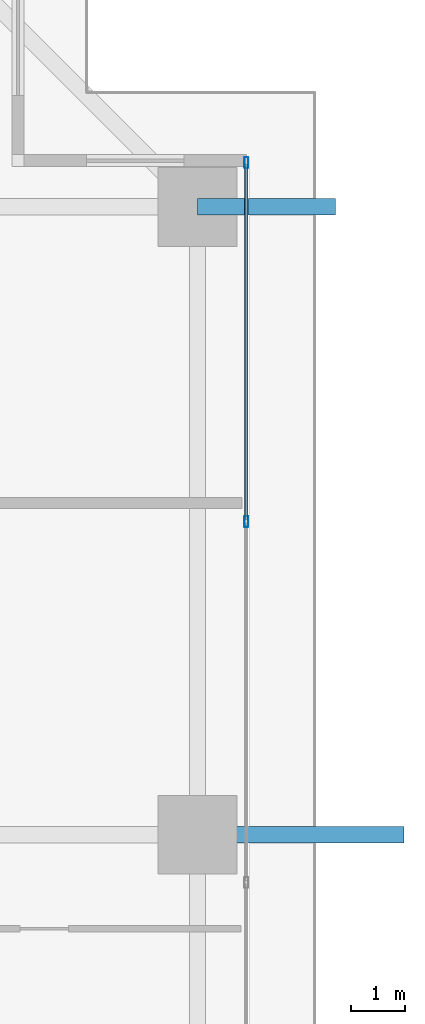
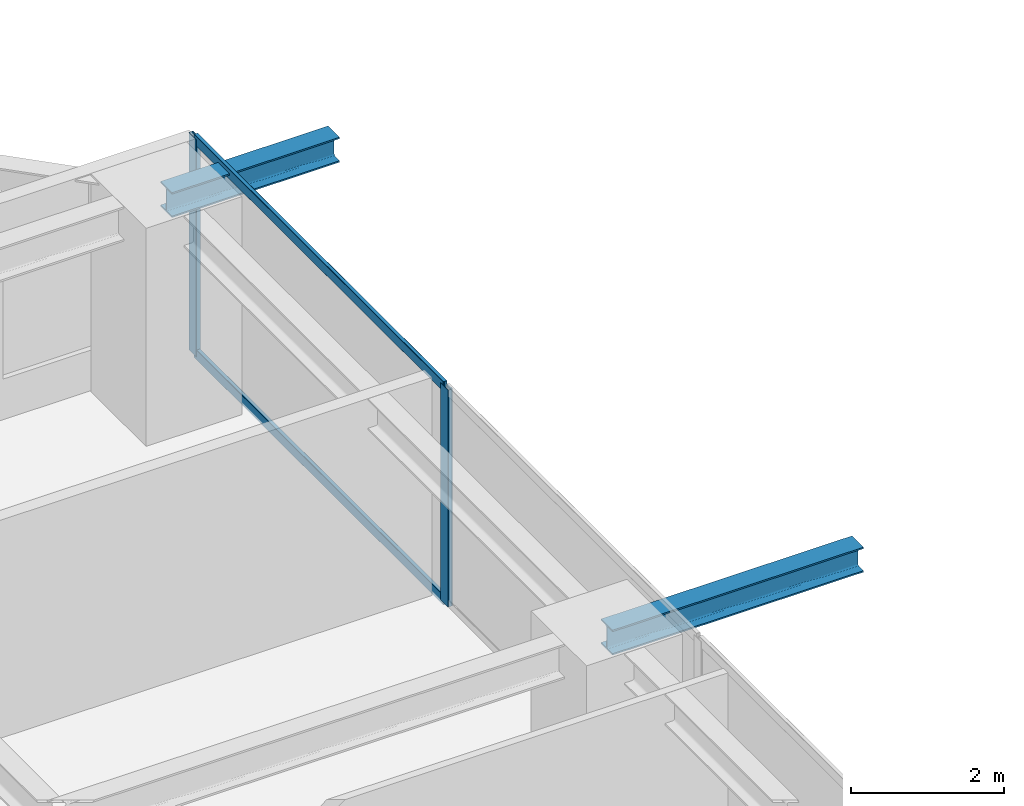
# One storey, part 23 of 41: 4 members, 2 beams, 1 element without a shape of its own.
"""IFC4 building model written with IfcOpenShell, lengths in metres."""

from ifc_helpers import new_model, si_unit, direction, frame, origin, origin_2d, place, context, subcontext, project, spatial, hollow_rectangle, i_section, extrude, source, transform, mapped, material, layer, layer_set, material_profile, profile_set, type_object, element, aggregate, save


model = new_model("IFC4")

# Units and contexts
model_context = context("Model", 3, precision=1e-05, world=origin(), true_north=direction((0.0, 1.0)))
body_context = subcontext(model_context, "Body", "Model", "MODEL_VIEW")
ifc_project = project(units=[si_unit("LENGTHUNIT", "METRE"), si_unit("AREAUNIT", "SQUARE_METRE"), si_unit("VOLUMEUNIT", "CUBIC_METRE"), si_unit("PLANEANGLEUNIT", "RADIAN"), si_unit("MASSUNIT", "GRAM", prefix="KILO")], contexts=[model_context])

# Site, building, storey
site_placement = place(None, origin())
site = spatial("IfcSite", under=ifc_project, at=site_placement, CompositionType="ELEMENT")
building_placement = place(site_placement, origin())
building = spatial("IfcBuilding", under=site, at=building_placement, Name="Serunith Strait Residences", CompositionType="ELEMENT")
storey_placement = place(building_placement, frame((0.0, 0.0, 75.449951171875)))
storey = spatial("IfcBuildingStorey", under=building, at=storey_placement, Name="L18", CompositionType="ELEMENT", Elevation=75.449951171875)

# Beams
ifc_material_1 = material(Name="Steel S355J2", Category="steel")
ifc_material_profile_1 = material_profile(ifc_material_1, i_section(OverallWidth=0.300048828125, OverallDepth=0.39990234375, WebThickness=0.013427734375, FlangeThickness=0.02392578125, FilletRadius=0.027099609375, at=origin_2d()), Name="HEB 400")
ifc_profile_set_1 = profile_set([ifc_material_profile_1], Name="Steel S355J2")
beam_type = type_object("IfcBeamType", Name="BM-HEB400", PredefinedType="BEAM", material=ifc_profile_set_1)
shared_shape_1 = source(origin(), body_context, "Body", "SweptSolid", [
    extrude(i_section(OverallWidth=0.300048828125, OverallDepth=0.39990234375, WebThickness=0.013427734375, FlangeThickness=0.02392578125, FilletRadius=0.027099609375, at=origin_2d()), origin(), (0.0, 0.0, 1.0), 3.800048828125),
])
beam_1_placement = place(storey_placement, frame((57.89990234375, 29.39990234375, 3.257080078125), z_axis=(1.0, 0.0, 0.0), x_axis=(0.0, 1.0, 0.0)))
element("IfcBeam", 1, at=beam_1_placement, inside=storey, type_object=beam_type, Name="L19 Cantilevered Balcony Rib TC-E3", PredefinedType="BEAM", context=body_context, shape_type="MappedRepresentation", body=[
    mapped(shared_shape_1, transform((0.0, 0.0, 0.0), scale=1.0)),
])
shared_shape_2 = source(origin(), body_context, "Body", "SweptSolid", [
    extrude(i_section(OverallWidth=0.300048828125, OverallDepth=0.39990234375, WebThickness=0.013427734375, FlangeThickness=0.02392578125, FilletRadius=0.027099609375, at=origin_2d()), origin(), (0.0, 0.0, 1.0), 2.538818359375),
])
beam_2_placement = place(storey_placement, frame((57.89990234375, 40.949951171875, 3.257080078125), z_axis=(1.0, 0.0, 0.0), x_axis=(0.0, 1.0, 0.0)))
element("IfcBeam", 2, at=beam_2_placement, inside=storey, type_object=beam_type, Name="L19 Cantilevered Balcony Rib TC-E4", PredefinedType="BEAM", context=body_context, shape_type="MappedRepresentation", body=[
    mapped(shared_shape_2, transform((0.0, 0.0, 0.0), scale=1.0)),
])

# Curtain wall, members
ifc_material_2 = material(Name="Pale-Champagne Anodised Aluminium", Category="aluminium")
ifc_layer = layer(ifc_material_2, 0.199951171875, Name="Pale-Champagne Anodised Aluminium")
ifc_layer_set = layer_set([ifc_layer], Name="Pale-Champagne Anodised Aluminium")
curtain_wall_type = type_object("IfcCurtainWallType", Name="CW-SYS1", PredefinedType="NOTDEFINED", material=ifc_layer_set)
curtain_wall_placement = place(storey_placement, origin())
curtain_wall = element("IfcCurtainWall", 3, at=curtain_wall_placement, inside=storey, type_object=curtain_wall_type, Name="L18 E Unitised Fritted Curtain Wall", PredefinedType="NOTDEFINED")
ifc_material_profile_2 = material_profile(ifc_material_2, hollow_rectangle(XDim=0.070068359375, YDim=0.199951171875, WallThickness=0.00390625, InnerFilletRadius=0.006103515625, OuterFilletRadius=0.010009765625, at=origin_2d()), Name="ALU 200x70x4")
ifc_profile_set_2 = profile_set([ifc_material_profile_2], Name="Pale-Champagne Anodised Aluminium")
member_type_1 = type_object("IfcMemberType", Name="CW-SYS1-MULL", PredefinedType="MULLION", material=ifc_profile_set_2)
shared_shape_3 = source(origin(), body_context, "Body", "SweptSolid", [
    extrude(hollow_rectangle(XDim=0.070068359375, YDim=0.199951171875, WallThickness=0.00390625, InnerFilletRadius=0.006103515625, OuterFilletRadius=0.010009765625, at=origin_2d()), origin(), (0.0, 0.0, 1.0), 3.47509765625),
])
member_1_placement = place(storey_placement, frame((58.800048828125, 35.159912109375, 0.0), z_axis=(0.0, 0.0, 1.0), x_axis=(-1.0, 0.0, 0.0)))
member_1 = element("IfcMember", 4, at=member_1_placement, type_object=member_type_1, Name="CW-1 mullion 5", PredefinedType="MULLION", context=body_context, shape_type="MappedRepresentation", body=[
    mapped(shared_shape_3, transform((0.0, 0.0, 0.0), scale=1.0)),
])
member_2_placement = place(storey_placement, frame((58.800048828125, 41.764892578125, 0.0), z_axis=(0.0, 0.0, 1.0), x_axis=(-1.0, 0.0, 0.0)))
member_2 = element("IfcMember", 5, at=member_2_placement, type_object=member_type_1, Name="CW-1 mullion 6", PredefinedType="MULLION", context=body_context, shape_type="MappedRepresentation", body=[
    mapped(shared_shape_3, transform((0.0, 0.0, 0.0), scale=1.0)),
])
ifc_material_profile_3 = material_profile(ifc_material_2, hollow_rectangle(XDim=0.06005859375, YDim=0.159912109375, WallThickness=0.00341796875, InnerFilletRadius=0.00537109375, OuterFilletRadius=0.0087890625, at=origin_2d()), Name="ALU 160x60x3.5")
ifc_profile_set_3 = profile_set([ifc_material_profile_3], Name="Pale-Champagne Anodised Aluminium")
member_type_2 = type_object("IfcMemberType", Name="CW-SYS1-TRAN", PredefinedType="USERDEFINED", material=ifc_profile_set_3)
shared_shape_4 = source(origin(), body_context, "Body", "SweptSolid", [
    extrude(hollow_rectangle(XDim=0.06005859375, YDim=0.159912109375, WallThickness=0.00341796875, InnerFilletRadius=0.00537109375, OuterFilletRadius=0.0087890625, at=origin_2d()), origin(), (0.0, 0.0, 1.0), 6.534912109375),
])
member_3_placement = place(storey_placement, frame((58.800048828125, 35.195068359375, 0.030029296875), z_axis=(0.0, 1.0, 0.0), x_axis=(-1.0, 0.0, 0.0)))
member_3 = element("IfcMember", 6, at=member_3_placement, type_object=member_type_2, Name="CW-1 transom 5.1", ObjectType="TRANSOM", PredefinedType="USERDEFINED", context=body_context, shape_type="MappedRepresentation", body=[
    mapped(shared_shape_4, transform((0.0, 0.0, 0.0), scale=1.0)),
])
member_4_placement = place(storey_placement, frame((58.800048828125, 35.195068359375, 3.445068359375), z_axis=(0.0, 1.0, 0.0), x_axis=(-1.0, 0.0, 0.0)))
member_4 = element("IfcMember", 7, at=member_4_placement, type_object=member_type_2, Name="CW-1 transom 5.2", ObjectType="TRANSOM", PredefinedType="USERDEFINED", context=body_context, shape_type="MappedRepresentation", body=[
    mapped(shared_shape_4, transform((0.0, 0.0, 0.0), scale=1.0)),
])
aggregate(curtain_wall, [member_1, member_2, member_3, member_4])

save(model, "model.ifc")
